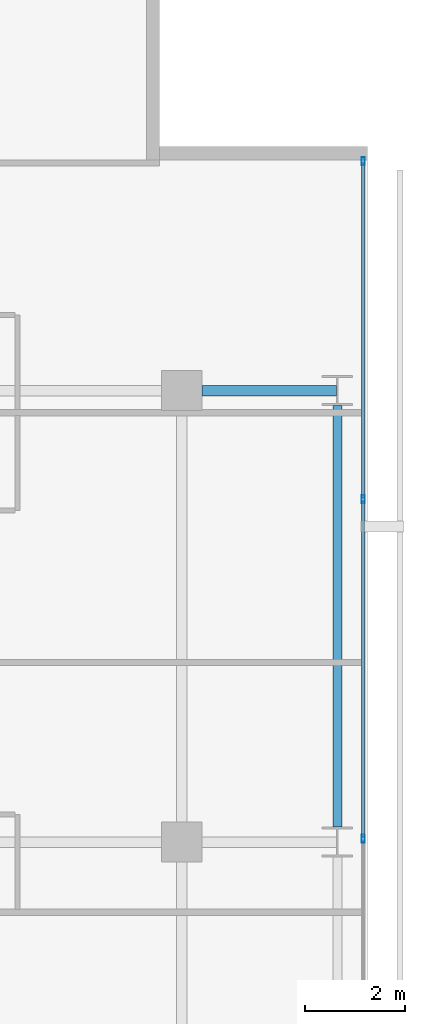
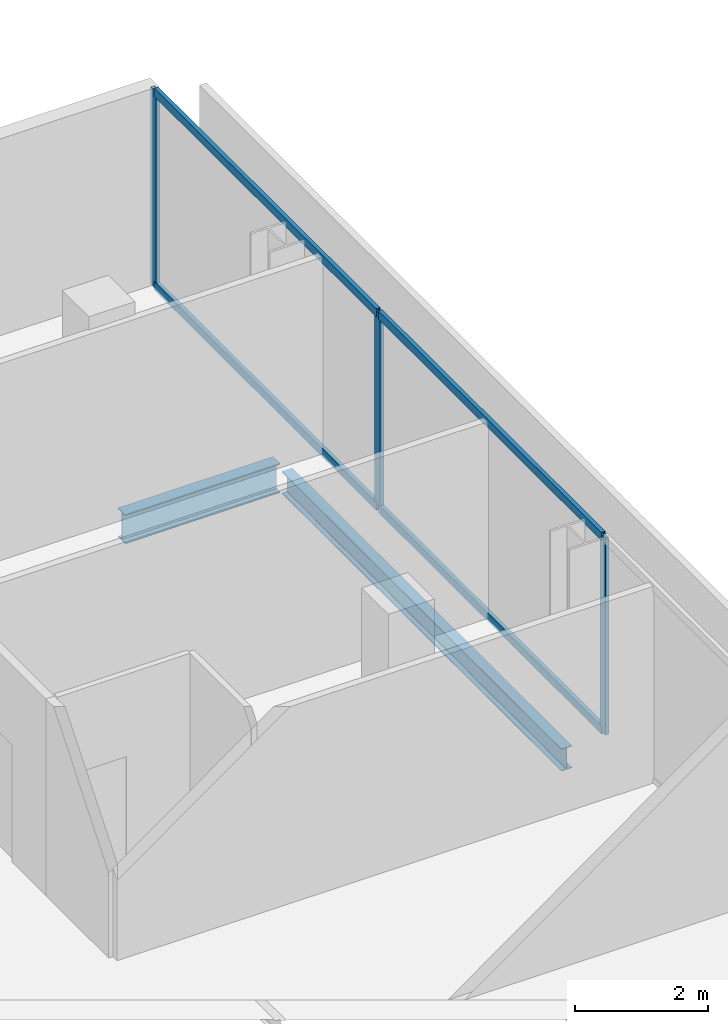
# One storey, part 24 of 34: 7 members, 2 beams, 1 element without a shape of its own.
"""IFC4 building model written with IfcOpenShell, lengths in metres."""

from ifc_helpers import new_model, si_unit, direction, frame, origin, origin_2d, place, context, subcontext, project, spatial, hollow_rectangle, i_section, extrude, material, layer, layer_set, material_profile, profile_set, type_object, element, aggregate, save


model = new_model("IFC4")

# Units and contexts
model_context = context("Model", 3, precision=1e-05, world=origin(), true_north=direction((0.0, 1.0)))
body_context = subcontext(model_context, "Body", "Model", "MODEL_VIEW")
ifc_project = project(units=[si_unit("LENGTHUNIT", "METRE"), si_unit("AREAUNIT", "SQUARE_METRE"), si_unit("VOLUMEUNIT", "CUBIC_METRE"), si_unit("PLANEANGLEUNIT", "RADIAN"), si_unit("MASSUNIT", "GRAM", prefix="KILO")], contexts=[model_context])

# Site, building, storey
site_placement = place(None, origin())
site = spatial("IfcSite", under=ifc_project, at=site_placement, CompositionType="ELEMENT")
building_placement = place(site_placement, origin())
building = spatial("IfcBuilding", under=site, at=building_placement, Name="Maruvema Waterfront Hotel and Observation Tower", CompositionType="ELEMENT")
storey_placement = place(building_placement, frame((0.0, 0.0, 215.949951171875)))
storey = spatial("IfcBuildingStorey", under=building, at=storey_placement, Name="L53", CompositionType="ELEMENT", Elevation=215.949951171875)

# Curtain wall, members
ifc_material_1 = material(Name="Anodised bronze aluminium and solar-control low-E IGU", Category="aluminium")
ifc_layer = layer(ifc_material_1, 0.159912109375, Name="Zone 2 Amber Inner Thermal Curtain Wall System CW-03")
ifc_layer_set = layer_set([ifc_layer], Name="Anodised bronze aluminium and solar-control low-E IGU")
curtain_wall_type = type_object("IfcCurtainWallType", Name="Zone 2 Amber Inner Thermal Curtain Wall System CW-03", PredefinedType="USERDEFINED", material=ifc_layer_set)
curtain_wall_placement = place(storey_placement, origin())
curtain_wall = element("IfcCurtainWall", 1, at=curtain_wall_placement, inside=storey, type_object=curtain_wall_type, Name="L53 Curtain Wall CW-L53-E", ObjectType="UNITISED CURTAIN WALL", PredefinedType="USERDEFINED")
ifc_material_2 = material(Name="Anodised architectural bronze aluminium", Category="aluminium")
ifc_material_profile_1 = material_profile(ifc_material_2, hollow_rectangle(XDim=0.070068359375, YDim=0.14990234375, WallThickness=0.00390625, at=origin_2d()), Name="ALU-T70x150")
ifc_profile_set_1 = profile_set([ifc_material_profile_1], Name="Anodised architectural bronze aluminium")
member_type_1 = type_object("IfcMemberType", Name="Curtain Wall Horizontal Transom ALU-T70x150", PredefinedType="USERDEFINED", material=ifc_profile_set_1)
member_1_placement = place(storey_placement, frame((62.419921875, 36.0966796875, 0.030029296875), z_axis=(0.0, 1.0, 0.0), x_axis=(-1.0, 0.0, 0.0)))
member_1 = element("IfcMember", 2, at=member_1_placement, type_object=member_type_1, Name="CW-03 transom 5.1", ObjectType="TRANSOM", PredefinedType="USERDEFINED", context=body_context, shape_type="SweptSolid", body=[
    extrude(hollow_rectangle(XDim=0.070068359375, YDim=0.14990234375, WallThickness=0.00390625, at=origin_2d()), origin(), (0.0, 0.0, 1.0), 6.70654296875),
])
member_2_placement = place(storey_placement, frame((62.419921875, 36.0966796875, 3.580078125), z_axis=(0.0, 1.0, 0.0), x_axis=(-1.0, 0.0, 0.0)))
member_2 = element("IfcMember", 3, at=member_2_placement, type_object=member_type_1, Name="CW-03 transom 5.2", ObjectType="TRANSOM", PredefinedType="USERDEFINED", context=body_context, shape_type="SweptSolid", body=[
    extrude(hollow_rectangle(XDim=0.070068359375, YDim=0.14990234375, WallThickness=0.00390625, at=origin_2d()), origin(), (0.0, 0.0, 1.0), 6.70654296875),
])
member_3_placement = place(storey_placement, frame((62.419921875, 42.86328125, 0.030029296875), z_axis=(0.0, 1.0, 0.0), x_axis=(-1.0, 0.0, 0.0)))
member_3 = element("IfcMember", 4, at=member_3_placement, type_object=member_type_1, Name="CW-03 transom 6.1", ObjectType="TRANSOM", PredefinedType="USERDEFINED", context=body_context, shape_type="SweptSolid", body=[
    extrude(hollow_rectangle(XDim=0.070068359375, YDim=0.14990234375, WallThickness=0.00390625, at=origin_2d()), origin(), (0.0, 0.0, 1.0), 6.6767578125),
])
member_4_placement = place(storey_placement, frame((62.419921875, 42.86328125, 3.580078125), z_axis=(0.0, 1.0, 0.0), x_axis=(-1.0, 0.0, 0.0)))
member_4 = element("IfcMember", 5, at=member_4_placement, type_object=member_type_1, Name="CW-03 transom 6.2", ObjectType="TRANSOM", PredefinedType="USERDEFINED", context=body_context, shape_type="SweptSolid", body=[
    extrude(hollow_rectangle(XDim=0.070068359375, YDim=0.14990234375, WallThickness=0.00390625, at=origin_2d()), origin(), (0.0, 0.0, 1.0), 6.6767578125),
])
ifc_material_3 = material(Name="Anodised architectural bronze aluminium", Category="aluminium")
ifc_material_profile_2 = material_profile(ifc_material_3, hollow_rectangle(XDim=0.06494140625, YDim=0.1650390625, WallThickness=0.00390625, at=origin_2d()), Name="ALU-M65x165")
ifc_profile_set_2 = profile_set([ifc_material_profile_2], Name="Anodised architectural bronze aluminium")
member_type_2 = type_object("IfcMemberType", Name="Curtain Wall Primary Mullion ALU-M65x165", PredefinedType="MULLION", material=ifc_profile_set_2)
member_5_placement = place(storey_placement, frame((62.419921875, 36.066650390625, 0.0), z_axis=(0.0, 0.0, 1.0), x_axis=(-1.0, 0.0, 0.0)))
member_5 = element("IfcMember", 6, at=member_5_placement, type_object=member_type_2, Name="CW-03 mullion 5", PredefinedType="MULLION", context=body_context, shape_type="SweptSolid", body=[
    extrude(hollow_rectangle(XDim=0.06494140625, YDim=0.1650390625, WallThickness=0.00390625, at=origin_2d()), origin(), (0.0, 0.0, 1.0), 3.610107421875),
])
member_6_placement = place(storey_placement, frame((62.419921875, 42.833251953125, 0.0), z_axis=(0.0, 0.0, 1.0), x_axis=(-1.0, 0.0, 0.0)))
member_6 = element("IfcMember", 7, at=member_6_placement, type_object=member_type_2, Name="CW-03 mullion 6", PredefinedType="MULLION", context=body_context, shape_type="SweptSolid", body=[
    extrude(hollow_rectangle(XDim=0.06494140625, YDim=0.1650390625, WallThickness=0.00390625, at=origin_2d()), origin(), (0.0, 0.0, 1.0), 3.610107421875),
])
member_7_placement = place(storey_placement, frame((62.419921875, 49.570068359375, 0.0), z_axis=(0.0, 0.0, 1.0), x_axis=(-1.0, 0.0, 0.0)))
member_7 = element("IfcMember", 8, at=member_7_placement, type_object=member_type_2, Name="CW-03 mullion 7", PredefinedType="MULLION", context=body_context, shape_type="SweptSolid", body=[
    extrude(hollow_rectangle(XDim=0.06494140625, YDim=0.1650390625, WallThickness=0.00390625, at=origin_2d()), origin(), (0.0, 0.0, 1.0), 3.610107421875),
])
aggregate(curtain_wall, [member_5, member_6, member_7, member_1, member_2, member_3, member_4])

# Beams
ifc_material_4 = material(Name="Steel ASTM A572 Grade 50", Category="steel")
ifc_material_profile_3 = material_profile(ifc_material_4, i_section(OverallWidth=0.178955078125, OverallDepth=0.409912109375, WebThickness=0.0087890625, FlangeThickness=0.014404296875, FilletRadius=0.014892578125, at=origin_2d()), Name="W410x67.0")
ifc_profile_set_3 = profile_set([ifc_material_profile_3], Name="Steel ASTM A572 Grade 50")
beam_type_1 = type_object("IfcBeamType", Name="Perimeter Spandrel Beam W410x67.0", PredefinedType="SPANDREL", material=ifc_profile_set_3)
beam_1_placement = place(storey_placement, frame((61.89990234375, 36.300048828125, -0.445068359375), z_axis=(0.0, 1.0, 0.0), x_axis=(-1.0, 0.0, 0.0)))
element("IfcBeam", 9, at=beam_1_placement, inside=storey, type_object=beam_type_1, Name="L53 Floor Girder NS-32", PredefinedType="SPANDREL", context=body_context, shape_type="SweptSolid", body=[
    extrude(i_section(OverallWidth=0.178955078125, OverallDepth=0.409912109375, WebThickness=0.0087890625, FlangeThickness=0.014404296875, FilletRadius=0.014892578125, at=origin_2d()), origin(), (0.0, 0.0, 1.0), 8.39990234375),
])
ifc_material_5 = material(Name="Steel ASTM A572 Grade 50", Category="steel")
ifc_material_profile_4 = material_profile(ifc_material_5, i_section(OverallWidth=0.2109375, OverallDepth=0.5390625, WebThickness=0.01171875, FlangeThickness=0.018798828125, FilletRadius=0.014892578125, at=origin_2d()), Name="W530x109.0")
ifc_profile_set_4 = profile_set([ifc_material_profile_4], Name="Steel ASTM A572 Grade 50")
beam_type_2 = type_object("IfcBeamType", Name="Primary Floor Girder W530x109.0", PredefinedType="BEAM", material=ifc_profile_set_4)
beam_2_placement = place(storey_placement, frame((59.199951171875, 45.0, -0.509521484375), z_axis=(1.0, 0.0, 0.0), x_axis=(0.0, 1.0, 0.0)))
element("IfcBeam", 10, at=beam_2_placement, inside=storey, type_object=beam_type_2, Name="L53 Floor Girder EW-33", PredefinedType="BEAM", context=body_context, shape_type="SweptSolid", body=[
    extrude(i_section(OverallWidth=0.2109375, OverallDepth=0.5390625, WebThickness=0.01171875, FlangeThickness=0.018798828125, FilletRadius=0.014892578125, at=origin_2d()), origin(), (0.0, 0.0, 1.0), 2.6875),
])

save(model, "model.ifc")
